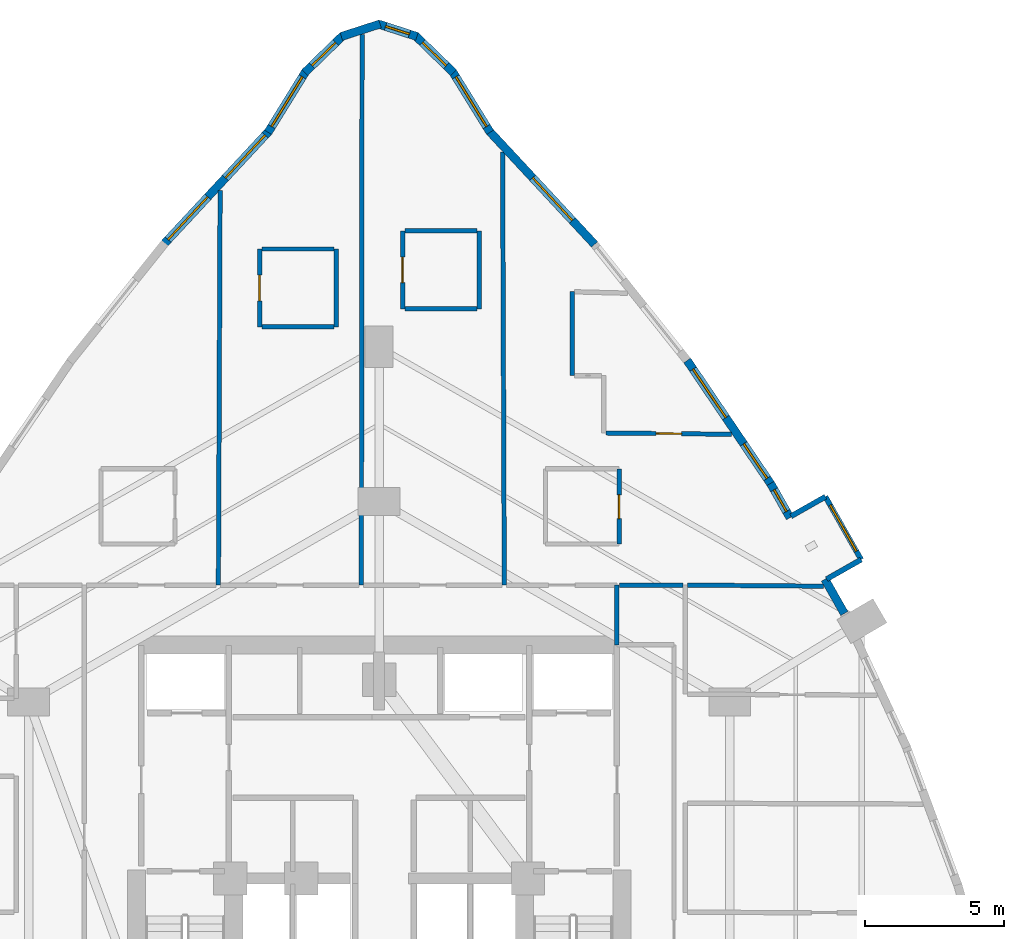
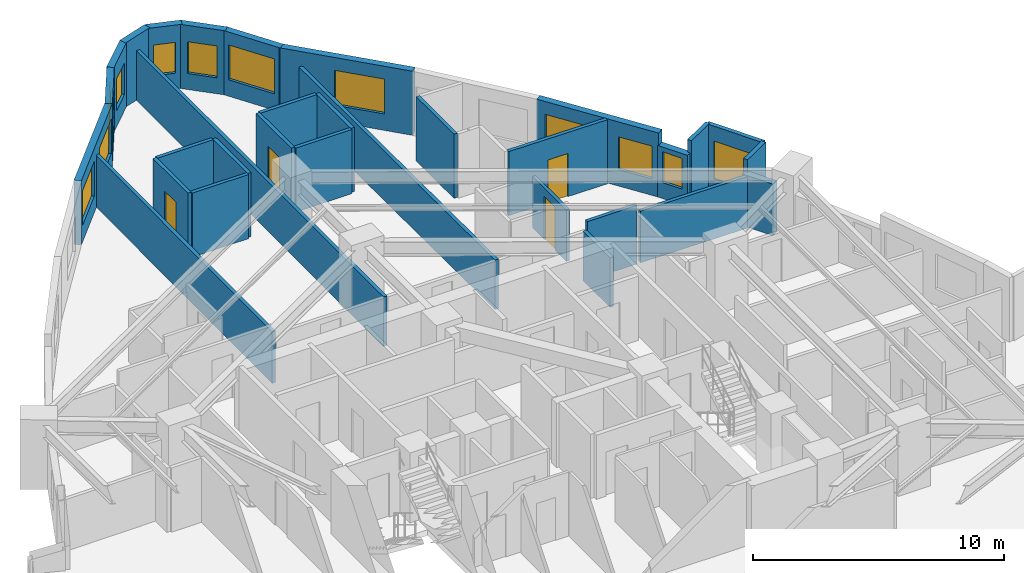
# One storey, part 11 of 13: 31 walls, 12 windows, 4 doors, 16 openings.
"""IFC4 building model written with IfcOpenShell, lengths in metres."""

from ifc_helpers import new_model, si_unit, direction, frame, frame_2d, origin, place, context, subcontext, project, spatial, rectangle, extrude, material, layer, layer_set, type_object, element, fill, save


model = new_model("IFC4")

# Units and contexts
model_context = context("Model", 3, precision=1e-05, world=origin(), true_north=direction((0.0, 1.0)))
body_context = subcontext(model_context, "Body", "Model", "MODEL_VIEW")
ifc_project = project(units=[si_unit("LENGTHUNIT", "METRE"), si_unit("AREAUNIT", "SQUARE_METRE"), si_unit("VOLUMEUNIT", "CUBIC_METRE"), si_unit("PLANEANGLEUNIT", "RADIAN"), si_unit("MASSUNIT", "GRAM", prefix="KILO")], contexts=[model_context])

# Site, building, storey
site_placement = place(None, origin())
site = spatial("IfcSite", under=ifc_project, at=site_placement, CompositionType="ELEMENT")
building_placement = place(site_placement, origin())
building = spatial("IfcBuilding", under=site, at=building_placement, Name="Miruveldt Soraemaru", CompositionType="ELEMENT")
storey_placement = place(building_placement, frame((0.0, 0.0, 46.199951171875)))
storey = spatial("IfcBuildingStorey", under=building, at=storey_placement, Name="L12", CompositionType="ELEMENT", Elevation=46.199951171875)

# Walls
ifc_material_1 = material(Name="White powder-coated aluminium EN AW-6060 T6", Category="aluminium")
ifc_layer_1 = layer(ifc_material_1, 0.18994140625, Name="White powder-coated aluminium EN AW-6060 T6", Category="aluminium")
ifc_layer_set_1 = layer_set([ifc_layer_1], Name="White powder-coated aluminium EN AW-6060 T6")
wall_type_1 = type_object("IfcWallType", Name="WALL-BAY-ALU190", PredefinedType="SOLIDWALL", material=ifc_layer_set_1)
wall_1_placement = place(storey_placement, frame((60.087646484375, 54.8125, 0.0), z_axis=(0.0, 0.0, 1.0), x_axis=(0.869914393652, 0.493202745042, 0.0)))
element("IfcWall", 1, at=wall_1_placement, inside=storey, type_object=wall_type_1, Name="L12 Bay Window Side Cheek 6L", PredefinedType="SOLIDWALL", context=body_context, shape_type="SweptSolid", body=[
    extrude(rectangle(XDim=1.425048828125, YDim=0.18994140625, at=frame_2d((0.71240234375, 0.0))), origin(), (0.0, 0.0, 1.0), 3.125),
])
wall_2_placement = place(storey_placement, frame((60.044677734375, 57.77685546875, 0.0), z_axis=(0.0, 0.0, 1.0), x_axis=(-0.869872713252, -0.493276253979, 0.0)))
element("IfcWall", 2, at=wall_2_placement, inside=storey, type_object=wall_type_1, Name="L12 Bay Window Side Cheek 6R", PredefinedType="SOLIDWALL", context=body_context, shape_type="SweptSolid", body=[
    extrude(rectangle(XDim=1.4248046875, YDim=0.18994140625, at=frame_2d((0.71240234375, 0.0))), origin(), (0.0, 0.0, 1.0), 3.125),
])

# Wall, opening, window
wall_3_placement = place(storey_placement, frame((61.327392578125, 55.515380859375, 0.0), z_axis=(0.0, 0.0, 1.0), x_axis=(-0.493365555553, 0.869822067203, 0.0)))
wall_3 = element("IfcWall", 3, at=wall_3_placement, inside=storey, type_object=wall_type_1, Name="L12 Bay Window Front Frame 6", PredefinedType="SOLIDWALL", context=body_context, shape_type="SweptSolid", body=[
    extrude(rectangle(XDim=2.599853515625, YDim=0.18994140625, at=frame_2d((1.2998046875, 0.0))), origin(), (0.0, 0.0, 1.0), 3.125),
])
opening_1_placement = place(wall_3_placement, frame((0.35009765625, 0.0, 0.550048828125)))
opening_1 = element("IfcOpeningElement", 4, at=opening_1_placement, cuts=wall_3, Name="Opening WN-6", PredefinedType="OPENING", context=body_context, shape_type="SweptSolid", body=[
    extrude(rectangle(XDim=1.89990234375, YDim=1.85009765625, at=frame_2d((0.949951171875, 0.925048828125))), frame((0.0, 0.10498046875, 0.0), z_axis=(0.0, -1.0, 0.0), x_axis=(1.0, 0.0, 0.0)), (0.0, 0.0, 1.0), 0.2099609375),
])
ifc_material_2 = material(Name="Triple low-e insulated glazing", Category="glass")
window_type_1 = type_object("IfcWindowType", Name="WIN-BAYW-1900x1850", PartitioningType="SINGLE_PANEL", PredefinedType="WINDOW", material=ifc_material_2)
window_1_placement = place(opening_1_placement, origin())
window_1 = element("IfcWindow", 5, at=window_1_placement, inside=storey, type_object=window_type_1, Name="L12 Projecting Bay Window 6", OverallHeight=1.85009765625, OverallWidth=1.89990234375, PartitioningType="SINGLE_PANEL", PredefinedType="WINDOW", context=body_context, shape_type="SweptSolid", body=[
    extrude(rectangle(XDim=1.89990234375, YDim=1.85009765625, at=frame_2d((0.949951171875, 0.925048828125))), frame((0.0, 0.030029296875, 0.0), z_axis=(0.0, -1.0, 0.0), x_axis=(1.0, 0.0, 0.0)), (0.0, 0.0, 1.0), 0.06005859375),
])
fill(opening_1, window_1)

ifc_material_3 = material(Name="Precast concrete C45/55 (45 MPa)", Category="concrete")
ifc_layer_2 = layer(ifc_material_3, 0.300048828125, Name="Precast concrete C45/55 (45 MPa)", Category="concrete")
ifc_layer_set_2 = layer_set([ifc_layer_2], Name="Precast concrete C45/55 (45 MPa)")
wall_type_2 = type_object("IfcWallType", Name="WALL-EXT-PC300", PredefinedType="SOLIDWALL", material=ifc_layer_set_2)
wall_4_placement = place(storey_placement, frame((47.99169921875, 70.87548828125, 0.0), z_axis=(0.0, 0.0, 1.0), x_axis=(-0.526075259145, 0.850438017563, 0.0)))
wall_4 = element("IfcWall", 6, at=wall_4_placement, inside=storey, type_object=wall_type_2, Name="L12 Precast Concrete Facade Wall 1", PredefinedType="SOLIDWALL", context=body_context, shape_type="SweptSolid", body=[
    extrude(rectangle(XDim=2.587646484375, YDim=0.300048828125, at=frame_2d((1.2939453125, 0.0))), origin(), (0.0, 0.0, 1.0), 3.125),
])
opening_2_placement = place(wall_4_placement, frame((0.243896484375, 0.0, 0.800048828125)))
opening_2 = element("IfcOpeningElement", 7, at=opening_2_placement, cuts=wall_4, Name="Opening WN-1", PredefinedType="OPENING", context=body_context, shape_type="SweptSolid", body=[
    extrude(rectangle(XDim=2.10009765625, YDim=1.699951171875, at=frame_2d((1.050048828125, 0.85009765625))), frame((0.0, 0.16015625, 0.0), z_axis=(0.0, -1.0, 0.0), x_axis=(1.0, 0.0, 0.0)), (0.0, 0.0, 1.0), 0.320068359375),
])
window_type_2 = type_object("IfcWindowType", Name="WIN-PUNCH-2100x1700", PartitioningType="SINGLE_PANEL", PredefinedType="WINDOW", material=ifc_material_2)
window_2_placement = place(opening_2_placement, origin())
window_2 = element("IfcWindow", 8, at=window_2_placement, inside=storey, type_object=window_type_2, Name="L12 Punched Triple-Glazed Window 01.1", OverallHeight=1.699951171875, OverallWidth=2.10009765625, PartitioningType="SINGLE_PANEL", PredefinedType="WINDOW", context=body_context, shape_type="SweptSolid", body=[
    extrude(rectangle(XDim=2.10009765625, YDim=1.699951171875, at=frame_2d((1.050048828125, 0.85009765625))), frame((0.0, 0.030029296875, 0.0), z_axis=(0.0, -1.0, 0.0), x_axis=(1.0, 0.0, 0.0)), (0.0, 0.0, 1.0), 0.06005859375),
])
fill(opening_2, window_2)

wall_5_placement = place(storey_placement, frame((46.673828125, 73.02197265625, 0.0), z_axis=(0.0, 0.0, 1.0), x_axis=(-0.717798051628, 0.696251360558, 0.0)))
wall_5 = element("IfcWall", 9, at=wall_5_placement, inside=storey, type_object=wall_type_2, Name="L12 Precast Concrete Facade Wall 2", PredefinedType="SOLIDWALL", context=body_context, shape_type="SweptSolid", body=[
    extrude(rectangle(XDim=1.914794921875, YDim=0.300048828125, at=frame_2d((0.95751953125, 0.0))), origin(), (0.0, 0.0, 1.0), 3.125),
])
opening_3_placement = place(wall_5_placement, frame((0.35791015625, 0.0, 0.780029296875)))
opening_3 = element("IfcOpeningElement", 10, at=opening_3_placement, cuts=wall_5, Name="Opening WN-4", PredefinedType="OPENING", context=body_context, shape_type="SweptSolid", body=[
    extrude(rectangle(XDim=1.199951171875, YDim=1.550048828125, at=frame_2d((0.60009765625, 0.77490234375))), frame((0.0, 0.16015625, 0.0), z_axis=(0.0, -1.0, 0.0), x_axis=(1.0, 0.0, 0.0)), (0.0, 0.0, 1.0), 0.320068359375),
])
window_type_3 = type_object("IfcWindowType", Name="WIN-PUNCH-1200x1550", PartitioningType="SINGLE_PANEL", PredefinedType="WINDOW", material=ifc_material_2)
window_3_placement = place(opening_3_placement, origin())
window_3 = element("IfcWindow", 11, at=window_3_placement, inside=storey, type_object=window_type_3, Name="L12 Punched Triple-Glazed Window 02.1", OverallHeight=1.550048828125, OverallWidth=1.199951171875, PartitioningType="SINGLE_PANEL", PredefinedType="WINDOW", context=body_context, shape_type="SweptSolid", body=[
    extrude(rectangle(XDim=1.199951171875, YDim=1.550048828125, at=frame_2d((0.60009765625, 0.77490234375))), frame((0.0, 0.030029296875, 0.0), z_axis=(0.0, -1.0, 0.0), x_axis=(1.0, 0.0, 0.0)), (0.0, 0.0, 1.0), 0.06005859375),
])
fill(opening_3, window_3)

wall_6_placement = place(storey_placement, frame((45.357666015625, 74.320068359375, 0.0), z_axis=(0.0, 0.0, 1.0), x_axis=(-0.951451711332, 0.307798052306, 0.0)))
wall_6 = element("IfcWall", 12, at=wall_6_placement, inside=storey, type_object=wall_type_2, Name="L12 Precast Concrete Facade Wall 3", PredefinedType="SOLIDWALL", context=body_context, shape_type="SweptSolid", body=[
    extrude(rectangle(XDim=1.4619140625, YDim=0.300048828125, at=frame_2d((0.73095703125, 0.0))), origin(), (0.0, 0.0, 1.0), 3.125),
])
opening_4_placement = place(wall_6_placement, frame((0.281005859375, 0.0, 0.780029296875)))
opening_4 = element("IfcOpeningElement", 13, at=opening_4_placement, cuts=wall_6, Name="Opening WN-7", PredefinedType="OPENING", context=body_context, shape_type="SweptSolid", body=[
    extrude(rectangle(XDim=0.89990234375, YDim=1.5, at=frame_2d((0.449951171875, 0.75))), frame((0.0, 0.16015625, 0.0), z_axis=(0.0, -1.0, 0.0), x_axis=(1.0, 0.0, 0.0)), (0.0, 0.0, 1.0), 0.320068359375),
])
window_type_4 = type_object("IfcWindowType", Name="WIN-PUNCH-900x1500", PartitioningType="SINGLE_PANEL", PredefinedType="WINDOW", material=ifc_material_2)
window_4_placement = place(opening_4_placement, origin())
window_4 = element("IfcWindow", 14, at=window_4_placement, inside=storey, type_object=window_type_4, Name="L12 Punched Triple-Glazed Window 03.1", OverallHeight=1.5, OverallWidth=0.89990234375, PartitioningType="SINGLE_PANEL", PredefinedType="WINDOW", context=body_context, shape_type="SweptSolid", body=[
    extrude(rectangle(XDim=0.89990234375, YDim=1.5, at=frame_2d((0.449951171875, 0.75))), frame((0.0, 0.030029296875, 0.0), z_axis=(0.0, -1.0, 0.0), x_axis=(1.0, 0.0, 0.0)), (0.0, 0.0, 1.0), 0.06005859375),
])
fill(opening_4, window_4)

# Wall
wall_7_placement = place(storey_placement, frame((44.033203125, 74.77001953125, 0.0), z_axis=(0.0, 0.0, 1.0), x_axis=(-0.951451711332, -0.307798052306, 0.0)))
element("IfcWall", 15, at=wall_7_placement, inside=storey, type_object=wall_type_2, Name="L12 Precast Concrete Facade Wall 4", PredefinedType="SOLIDWALL", context=body_context, shape_type="SweptSolid", body=[
    extrude(rectangle(XDim=1.4619140625, YDim=0.300048828125, at=frame_2d((0.73095703125, 0.0))), origin(), (0.0, 0.0, 1.0), 3.125),
])

# Wall, opening, window
wall_8_placement = place(storey_placement, frame((42.70068359375, 74.355224609375, 0.0), z_axis=(0.0, 0.0, 1.0), x_axis=(-0.717798051628, -0.696251360558, 0.0)))
wall_8 = element("IfcWall", 16, at=wall_8_placement, inside=storey, type_object=wall_type_2, Name="L12 Precast Concrete Facade Wall 5", PredefinedType="SOLIDWALL", context=body_context, shape_type="SweptSolid", body=[
    extrude(rectangle(XDim=1.914794921875, YDim=0.300048828125, at=frame_2d((0.95751953125, 0.0))), origin(), (0.0, 0.0, 1.0), 3.125),
])
opening_5_placement = place(wall_8_placement, frame((0.35791015625, 0.0, 0.780029296875)))
opening_5 = element("IfcOpeningElement", 17, at=opening_5_placement, cuts=wall_8, Name="Opening WN-4", PredefinedType="OPENING", context=body_context, shape_type="SweptSolid", body=[
    extrude(rectangle(XDim=1.199951171875, YDim=1.550048828125, at=frame_2d((0.60009765625, 0.77490234375))), frame((0.0, 0.16015625, 0.0), z_axis=(0.0, -1.0, 0.0), x_axis=(1.0, 0.0, 0.0)), (0.0, 0.0, 1.0), 0.320068359375),
])
window_5_placement = place(opening_5_placement, origin())
window_5 = element("IfcWindow", 18, at=window_5_placement, inside=storey, type_object=window_type_3, Name="L12 Punched Triple-Glazed Window 05.1", OverallHeight=1.550048828125, OverallWidth=1.199951171875, PartitioningType="SINGLE_PANEL", PredefinedType="WINDOW", context=body_context, shape_type="SweptSolid", body=[
    extrude(rectangle(XDim=1.199951171875, YDim=1.550048828125, at=frame_2d((0.60009765625, 0.77490234375))), frame((0.0, 0.030029296875, 0.0), z_axis=(0.0, -1.0, 0.0), x_axis=(1.0, 0.0, 0.0)), (0.0, 0.0, 1.0), 0.06005859375),
])
fill(opening_5, window_5)

wall_9_placement = place(storey_placement, frame((41.36962890625, 73.076171875, 0.0), z_axis=(0.0, 0.0, 1.0), x_axis=(-0.526075259145, -0.850438017563, 0.0)))
wall_9 = element("IfcWall", 19, at=wall_9_placement, inside=storey, type_object=wall_type_2, Name="L12 Precast Concrete Facade Wall 6", PredefinedType="SOLIDWALL", context=body_context, shape_type="SweptSolid", body=[
    extrude(rectangle(XDim=2.587646484375, YDim=0.300048828125, at=frame_2d((1.2939453125, 0.0))), origin(), (0.0, 0.0, 1.0), 3.125),
])
opening_6_placement = place(wall_9_placement, frame((0.243896484375, 0.0, 0.800048828125)))
opening_6 = element("IfcOpeningElement", 20, at=opening_6_placement, cuts=wall_9, Name="Opening WN-1", PredefinedType="OPENING", context=body_context, shape_type="SweptSolid", body=[
    extrude(rectangle(XDim=2.10009765625, YDim=1.699951171875, at=frame_2d((1.050048828125, 0.85009765625))), frame((0.0, 0.16015625, 0.0), z_axis=(0.0, -1.0, 0.0), x_axis=(1.0, 0.0, 0.0)), (0.0, 0.0, 1.0), 0.320068359375),
])
window_6_placement = place(opening_6_placement, origin())
window_6 = element("IfcWindow", 21, at=window_6_placement, inside=storey, type_object=window_type_2, Name="L12 Punched Triple-Glazed Window 06.1", OverallHeight=1.699951171875, OverallWidth=2.10009765625, PartitioningType="SINGLE_PANEL", PredefinedType="WINDOW", context=body_context, shape_type="SweptSolid", body=[
    extrude(rectangle(XDim=2.10009765625, YDim=1.699951171875, at=frame_2d((1.050048828125, 0.85009765625))), frame((0.0, 0.030029296875, 0.0), z_axis=(0.0, -1.0, 0.0), x_axis=(1.0, 0.0, 0.0)), (0.0, 0.0, 1.0), 0.06005859375),
])
fill(opening_6, window_6)

# Wall, openings, windows
wall_10_placement = place(storey_placement, frame((40.050537109375, 70.930908203125, 0.0), z_axis=(0.0, 0.0, 1.0), x_axis=(-0.680870825534, -0.73240352193, 0.0)))
wall_10 = element("IfcWall", 22, at=wall_10_placement, inside=storey, type_object=wall_type_2, Name="L12 Precast Concrete Facade Wall 7", PredefinedType="SOLIDWALL", context=body_context, shape_type="SweptSolid", body=[
    extrude(rectangle(XDim=5.576171875, YDim=0.300048828125, at=frame_2d((2.7880859375, 0.0))), origin(), (0.0, 0.0, 1.0), 3.125),
])
opening_7_placement = place(wall_10_placement, frame((0.215087890625, 0.0, 0.800048828125)))
opening_7 = element("IfcOpeningElement", 23, at=opening_7_placement, cuts=wall_10, Name="Opening WN-1", PredefinedType="OPENING", context=body_context, shape_type="SweptSolid", body=[
    extrude(rectangle(XDim=2.10009765625, YDim=1.699951171875, at=frame_2d((1.050048828125, 0.85009765625))), frame((0.0, 0.16015625, 0.0), z_axis=(0.0, -1.0, 0.0), x_axis=(1.0, 0.0, 0.0)), (0.0, 0.0, 1.0), 0.320068359375),
])
opening_8_placement = place(wall_10_placement, frame((3.242919921875, 0.0, 0.800048828125)))
opening_8 = element("IfcOpeningElement", 24, at=opening_8_placement, cuts=wall_10, Name="Opening WN-1", PredefinedType="OPENING", context=body_context, shape_type="SweptSolid", body=[
    extrude(rectangle(XDim=2.10009765625, YDim=1.699951171875, at=frame_2d((1.050048828125, 0.85009765625))), frame((0.0, 0.16015625, 0.0), z_axis=(0.0, -1.0, 0.0), x_axis=(1.0, 0.0, 0.0)), (0.0, 0.0, 1.0), 0.320068359375),
])
window_7_placement = place(opening_7_placement, origin())
window_7 = element("IfcWindow", 25, at=window_7_placement, inside=storey, type_object=window_type_2, Name="L12 Punched Triple-Glazed Window 07.1", OverallHeight=1.699951171875, OverallWidth=2.10009765625, PartitioningType="SINGLE_PANEL", PredefinedType="WINDOW", context=body_context, shape_type="SweptSolid", body=[
    extrude(rectangle(XDim=2.10009765625, YDim=1.699951171875, at=frame_2d((1.050048828125, 0.85009765625))), frame((0.0, 0.030029296875, 0.0), z_axis=(0.0, -1.0, 0.0), x_axis=(1.0, 0.0, 0.0)), (0.0, 0.0, 1.0), 0.06005859375),
])
fill(opening_7, window_7)
window_8_placement = place(opening_8_placement, origin())
window_8 = element("IfcWindow", 26, at=window_8_placement, inside=storey, type_object=window_type_2, Name="L12 Punched Triple-Glazed Window 07.2", OverallHeight=1.699951171875, OverallWidth=2.10009765625, PartitioningType="SINGLE_PANEL", PredefinedType="WINDOW", context=body_context, shape_type="SweptSolid", body=[
    extrude(rectangle(XDim=2.10009765625, YDim=1.699951171875, at=frame_2d((1.050048828125, 0.85009765625))), frame((0.0, 0.030029296875, 0.0), z_axis=(0.0, -1.0, 0.0), x_axis=(1.0, 0.0, 0.0)), (0.0, 0.0, 1.0), 0.06005859375),
])
fill(opening_8, window_8)

# Wall
wall_11_placement = place(storey_placement, frame((60.724853515625, 53.57763671875, 0.0), z_axis=(0.0, 0.0, 1.0), x_axis=(-0.493355657104, 0.869827681558, 0.0)))
element("IfcWall", 27, at=wall_11_placement, inside=storey, type_object=wall_type_2, Name="L12 Precast Pier Wall 39A", PredefinedType="SOLIDWALL", context=body_context, shape_type="SweptSolid", body=[
    extrude(rectangle(XDim=1.418212890625, YDim=0.300048828125, at=frame_2d((0.708984375, 0.0))), origin(), (0.0, 0.0, 1.0), 2.512939453125),
])

# Wall, opening, window
wall_12_placement = place(storey_placement, frame((58.772216796875, 57.020751953125, 0.0), z_axis=(0.0, 0.0, 1.0), x_axis=(-0.493485882308, 0.869753806524, 0.0)))
wall_12 = element("IfcWall", 28, at=wall_12_placement, inside=storey, type_object=wall_type_2, Name="L12 Precast Pier Wall 39B", PredefinedType="SOLIDWALL", context=body_context, shape_type="SweptSolid", body=[
    extrude(rectangle(XDim=1.41845703125, YDim=0.300048828125, at=frame_2d((0.709228515625, 0.0))), origin(), (0.0, 0.0, 1.0), 2.512939453125),
])
opening_9_placement = place(wall_12_placement, frame((0.259033203125, 0.0, 0.780029296875)))
opening_9 = element("IfcOpeningElement", 29, at=opening_9_placement, cuts=wall_12, Name="Opening WN-7", PredefinedType="OPENING", context=body_context, shape_type="SweptSolid", body=[
    extrude(rectangle(XDim=0.89990234375, YDim=1.5, at=frame_2d((0.449951171875, 0.75))), frame((0.0, 0.16015625, 0.0), z_axis=(0.0, -1.0, 0.0), x_axis=(1.0, 0.0, 0.0)), (0.0, 0.0, 1.0), 0.320068359375),
])
window_9_placement = place(opening_9_placement, origin())
window_9 = element("IfcWindow", 30, at=window_9_placement, inside=storey, type_object=window_type_4, Name="L12 Punched Triple-Glazed Window 39B.1", OverallHeight=1.5, OverallWidth=0.89990234375, PartitioningType="SINGLE_PANEL", PredefinedType="WINDOW", context=body_context, shape_type="SweptSolid", body=[
    extrude(rectangle(XDim=0.89990234375, YDim=1.5, at=frame_2d((0.449951171875, 0.75))), frame((0.0, 0.030029296875, 0.0), z_axis=(0.0, -1.0, 0.0), x_axis=(1.0, 0.0, 0.0)), (0.0, 0.0, 1.0), 0.06005859375),
])
fill(opening_9, window_9)

# Wall, openings, windows
wall_13_placement = place(storey_placement, frame((58.109130859375, 58.195068359375, 0.0), z_axis=(0.0, 0.0, 1.0), x_axis=(-0.560829186842, 0.827931532909, 0.0)))
wall_13 = element("IfcWall", 31, at=wall_13_placement, inside=storey, type_object=wall_type_2, Name="L12 Precast Concrete Facade Wall 40", PredefinedType="SOLIDWALL", context=body_context, shape_type="SweptSolid", body=[
    extrude(rectangle(XDim=5.41015625, YDim=0.300048828125, at=frame_2d((2.705078125, 0.0))), origin(), (0.0, 0.0, 1.0), 3.125),
])
opening_10_placement = place(wall_13_placement, frame((0.2880859375, 0.0, 0.800048828125)))
opening_10 = element("IfcOpeningElement", 32, at=opening_10_placement, cuts=wall_13, Name="Opening WN-3", PredefinedType="OPENING", context=body_context, shape_type="SweptSolid", body=[
    extrude(rectangle(XDim=1.5, YDim=1.60009765625, at=frame_2d((0.75, 0.800048828125))), frame((0.0, 0.16015625, 0.0), z_axis=(0.0, -1.0, 0.0), x_axis=(1.0, 0.0, 0.0)), (0.0, 0.0, 1.0), 0.320068359375),
])
opening_11_placement = place(wall_13_placement, frame((2.93310546875, 0.0, 0.800048828125)))
opening_11 = element("IfcOpeningElement", 33, at=opening_11_placement, cuts=wall_13, Name="Opening WN-1", PredefinedType="OPENING", context=body_context, shape_type="SweptSolid", body=[
    extrude(rectangle(XDim=2.10009765625, YDim=1.699951171875, at=frame_2d((1.050048828125, 0.85009765625))), frame((0.0, 0.16015625, 0.0), z_axis=(0.0, -1.0, 0.0), x_axis=(1.0, 0.0, 0.0)), (0.0, 0.0, 1.0), 0.320068359375),
])
window_type_5 = type_object("IfcWindowType", Name="WIN-PUNCH-1500x1600", PartitioningType="SINGLE_PANEL", PredefinedType="WINDOW", material=ifc_material_2)
window_10_placement = place(opening_10_placement, origin())
window_10 = element("IfcWindow", 34, at=window_10_placement, inside=storey, type_object=window_type_5, Name="L12 Punched Triple-Glazed Window 40.1", OverallHeight=1.60009765625, OverallWidth=1.5, PartitioningType="SINGLE_PANEL", PredefinedType="WINDOW", context=body_context, shape_type="SweptSolid", body=[
    extrude(rectangle(XDim=1.5, YDim=1.60009765625, at=frame_2d((0.75, 0.800048828125))), frame((0.0, 0.030029296875, 0.0), z_axis=(0.0, -1.0, 0.0), x_axis=(1.0, 0.0, 0.0)), (0.0, 0.0, 1.0), 0.06005859375),
])
fill(opening_10, window_10)
window_11_placement = place(opening_11_placement, origin())
window_11 = element("IfcWindow", 35, at=window_11_placement, inside=storey, type_object=window_type_2, Name="L12 Punched Triple-Glazed Window 40.2", OverallHeight=1.699951171875, OverallWidth=2.10009765625, PartitioningType="SINGLE_PANEL", PredefinedType="WINDOW", context=body_context, shape_type="SweptSolid", body=[
    extrude(rectangle(XDim=2.10009765625, YDim=1.699951171875, at=frame_2d((1.050048828125, 0.85009765625))), frame((0.0, 0.030029296875, 0.0), z_axis=(0.0, -1.0, 0.0), x_axis=(1.0, 0.0, 0.0)), (0.0, 0.0, 1.0), 0.06005859375),
])
fill(opening_11, window_11)

# Wall, opening, window
wall_14_placement = place(storey_placement, frame((51.74609375, 66.846923828125, 0.0), z_axis=(0.0, 0.0, 1.0), x_axis=(-0.680870825534, 0.73240352193, 0.0)))
wall_14 = element("IfcWall", 36, at=wall_14_placement, inside=storey, type_object=wall_type_2, Name="L12 Precast Concrete Facade Wall 42", PredefinedType="SOLIDWALL", context=body_context, shape_type="SweptSolid", body=[
    extrude(rectangle(XDim=5.576171875, YDim=0.300048828125, at=frame_2d((2.7880859375, 0.0))), origin(), (0.0, 0.0, 1.0), 3.125),
])
opening_12_placement = place(wall_14_placement, frame((1.169921875, 0.0, 0.800048828125)))
opening_12 = element("IfcOpeningElement", 37, at=opening_12_placement, cuts=wall_14, Name="Opening WN-1", PredefinedType="OPENING", context=body_context, shape_type="SweptSolid", body=[
    extrude(rectangle(XDim=2.10009765625, YDim=1.699951171875, at=frame_2d((1.050048828125, 0.85009765625))), frame((0.0, 0.16015625, 0.0), z_axis=(0.0, -1.0, 0.0), x_axis=(1.0, 0.0, 0.0)), (0.0, 0.0, 1.0), 0.320068359375),
])
window_12_placement = place(opening_12_placement, origin())
window_12 = element("IfcWindow", 38, at=window_12_placement, inside=storey, type_object=window_type_2, Name="L12 Punched Triple-Glazed Window 42.1", OverallHeight=1.699951171875, OverallWidth=2.10009765625, PartitioningType="SINGLE_PANEL", PredefinedType="WINDOW", context=body_context, shape_type="SweptSolid", body=[
    extrude(rectangle(XDim=2.10009765625, YDim=1.699951171875, at=frame_2d((1.050048828125, 0.85009765625))), frame((0.0, 0.030029296875, 0.0), z_axis=(0.0, -1.0, 0.0), x_axis=(1.0, 0.0, 0.0)), (0.0, 0.0, 1.0), 0.06005859375),
])
fill(opening_12, window_12)

# Wall, opening, door
ifc_material_4 = material(Name="Gypsum plasterboard lining", Category="gypsum")
ifc_layer_3 = layer(ifc_material_4, 0.14990234375, Name="Gypsum plasterboard lining", Category="gypsum")
ifc_layer_set_3 = layer_set([ifc_layer_3], Name="Gypsum plasterboard lining")
wall_type_3 = type_object("IfcWallType", Name="WALL-INT-PLUMB", PredefinedType="PLUMBINGWALL", material=ifc_layer_set_3)
wall_15_placement = place(storey_placement, frame((52.6298828125, 56.080078125, 0.0), z_axis=(0.0, 0.0, 1.0), x_axis=(0.0, 1.0, 0.0)))
wall_15 = element("IfcWall", 39, at=wall_15_placement, inside=storey, type_object=wall_type_3, Name="L12 Partition Wall 30", PredefinedType="PLUMBINGWALL", context=body_context, shape_type="SweptSolid", body=[
    extrude(rectangle(XDim=2.699951171875, YDim=0.14990234375, at=frame_2d((1.35009765625, 0.0))), origin(), (0.0, 0.0, 1.0), 2.512939453125),
])
opening_13_placement = place(wall_15_placement, frame((0.909912109375, 0.0, 0.0)))
opening_13 = element("IfcOpeningElement", 40, at=opening_13_placement, cuts=wall_15, Name="Opening FD3", PredefinedType="OPENING", context=body_context, shape_type="SweptSolid", body=[
    extrude(rectangle(XDim=0.85009765625, YDim=2.10009765625, at=frame_2d((0.425048828125, 1.050048828125))), frame((0.0, 0.0849609375, 0.0), z_axis=(0.0, -1.0, 0.0), x_axis=(1.0, 0.0, 0.0)), (0.0, 0.0, 1.0), 0.169921875),
])
ifc_material_5 = material(Name="Anodised aluminium EN AW-6063 T6", Category="aluminium")
door_type_1 = type_object("IfcDoorType", Name="DOOR-FD3-850", OperationType="NOTDEFINED", PredefinedType="DOOR", material=ifc_material_5)
door_1_placement = place(opening_13_placement, origin())
door_1 = element("IfcDoor", 41, at=door_1_placement, inside=storey, type_object=door_type_1, Name="L12 Unit 1204 BTH Door", OperationType="SINGLE_SWING_LEFT", OverallHeight=2.10009765625, OverallWidth=0.85009765625, PredefinedType="DOOR", context=body_context, shape_type="SweptSolid", body=[
    extrude(rectangle(XDim=0.85009765625, YDim=2.10009765625, at=frame_2d((0.425048828125, 1.050048828125))), frame((0.0, 0.02490234375, 0.0), z_axis=(0.0, -1.0, 0.0), x_axis=(1.0, 0.0, 0.0)), (0.0, 0.0, 1.0), 0.050048828125),
])
fill(opening_13, door_1)

ifc_material_6 = material(Name="Concrete C40/50 (40 MPa)", Category="concrete")
ifc_layer_4 = layer(ifc_material_6, 0.159912109375, Name="Concrete C40/50 (40 MPa)", Category="concrete")
ifc_layer_set_4 = layer_set([ifc_layer_4], Name="Concrete C40/50 (40 MPa)")
wall_type_4 = type_object("IfcWallType", Name="WALL-INT-RC160", PredefinedType="SOLIDWALL", material=ifc_layer_set_4)
wall_16_placement = place(storey_placement, frame((56.674072265625, 60.02001953125, 0.0), z_axis=(0.0, 0.0, 1.0), x_axis=(-0.999948313371, 0.010167132662, 0.0)))
wall_16 = element("IfcWall", 42, at=wall_16_placement, inside=storey, type_object=wall_type_4, Name="L12 Partition Wall 34", PredefinedType="SOLIDWALL", context=body_context, shape_type="SweptSolid", body=[
    extrude(rectangle(XDim=4.514404296875, YDim=0.159912109375, at=frame_2d((2.25732421875, 0.0))), origin(), (0.0, 0.0, 1.0), 3.125),
])
opening_14_placement = place(wall_16_placement, frame((1.797119140625, 0.0, 0.0)))
opening_14 = element("IfcOpeningElement", 43, at=opening_14_placement, cuts=wall_16, Name="Opening D3A", PredefinedType="OPENING", context=body_context, shape_type="SweptSolid", body=[
    extrude(rectangle(XDim=0.919921875, YDim=2.10009765625, at=frame_2d((0.4599609375, 1.050048828125))), frame((0.0, 0.08984375, 0.0), z_axis=(0.0, -1.0, 0.0), x_axis=(1.0, 0.0, 0.0)), (0.0, 0.0, 1.0), 0.179931640625),
])
door_type_2 = type_object("IfcDoorType", Name="DOOR-INT-920", OperationType="NOTDEFINED", PredefinedType="DOOR", material=ifc_material_5)
door_2_placement = place(opening_14_placement, origin())
door_2 = element("IfcDoor", 44, at=door_2_placement, inside=storey, type_object=door_type_2, Name="L12 Unit 1204 BD1 Door", OperationType="SINGLE_SWING_RIGHT", OverallHeight=2.10009765625, OverallWidth=0.919921875, PredefinedType="DOOR", context=body_context, shape_type="SweptSolid", body=[
    extrude(rectangle(XDim=0.919921875, YDim=2.10009765625, at=frame_2d((0.4599609375, 1.050048828125))), frame((0.0, 0.02490234375, 0.0), z_axis=(0.0, -1.0, 0.0), x_axis=(1.0, 0.0, 0.0)), (0.0, 0.0, 1.0), 0.050048828125),
])
fill(opening_14, door_2)

wall_17_placement = place(storey_placement, frame((39.702880859375, 66.679931640625, 0.0), z_axis=(0.0, 0.0, 1.0), x_axis=(0.0, -1.0, 0.0)))
wall_17 = element("IfcWall", 45, at=wall_17_placement, inside=storey, type_object=wall_type_4, Name="L12 Partition Wall 22", PredefinedType="SOLIDWALL", context=body_context, shape_type="SweptSolid", body=[
    extrude(rectangle(XDim=2.800048828125, YDim=0.159912109375, at=frame_2d((1.39990234375, 0.0))), origin(), (0.0, 0.0, 1.0), 3.125),
])
opening_15_placement = place(wall_17_placement, frame((0.93994140625, 0.0, 0.0)))
opening_15 = element("IfcOpeningElement", 46, at=opening_15_placement, cuts=wall_17, Name="Opening D3A", PredefinedType="OPENING", context=body_context, shape_type="SweptSolid", body=[
    extrude(rectangle(XDim=0.919921875, YDim=2.10009765625, at=frame_2d((0.4599609375, 1.050048828125))), frame((0.0, 0.08984375, 0.0), z_axis=(0.0, -1.0, 0.0), x_axis=(1.0, 0.0, 0.0)), (0.0, 0.0, 1.0), 0.179931640625),
])
door_3_placement = place(opening_15_placement, origin())
door_3 = element("IfcDoor", 47, at=door_3_placement, inside=storey, type_object=door_type_2, Name="L12 Unit CL02 KIT Door", OperationType="SINGLE_SWING_LEFT", OverallHeight=2.10009765625, OverallWidth=0.919921875, PredefinedType="DOOR", context=body_context, shape_type="SweptSolid", body=[
    extrude(rectangle(XDim=0.919921875, YDim=2.10009765625, at=frame_2d((0.4599609375, 1.050048828125))), frame((0.0, 0.02490234375, 0.0), z_axis=(0.0, -1.0, 0.0), x_axis=(1.0, 0.0, 0.0)), (0.0, 0.0, 1.0), 0.050048828125),
])
fill(opening_15, door_3)

wall_18_placement = place(storey_placement, frame((44.842041015625, 67.330078125, 0.0), z_axis=(0.0, 0.0, 1.0), x_axis=(0.0, -1.0, 0.0)))
wall_18 = element("IfcWall", 48, at=wall_18_placement, inside=storey, type_object=wall_type_4, Name="L12 Partition Wall 27", PredefinedType="SOLIDWALL", context=body_context, shape_type="SweptSolid", body=[
    extrude(rectangle(XDim=2.800048828125, YDim=0.159912109375, at=frame_2d((1.39990234375, 0.0))), origin(), (0.0, 0.0, 1.0), 3.125),
])
opening_16_placement = place(wall_18_placement, frame((0.93994140625, 0.0, 0.0)))
opening_16 = element("IfcOpeningElement", 49, at=opening_16_placement, cuts=wall_18, Name="Opening D3A", PredefinedType="OPENING", context=body_context, shape_type="SweptSolid", body=[
    extrude(rectangle(XDim=0.919921875, YDim=2.10009765625, at=frame_2d((0.4599609375, 1.050048828125))), frame((0.0, 0.08984375, 0.0), z_axis=(0.0, -1.0, 0.0), x_axis=(1.0, 0.0, 0.0)), (0.0, 0.0, 1.0), 0.179931640625),
])
door_4_placement = place(opening_16_placement, origin())
door_4 = element("IfcDoor", 50, at=door_4_placement, inside=storey, type_object=door_type_2, Name="L12 Unit CL03 KIT Door", OperationType="SINGLE_SWING_LEFT", OverallHeight=2.10009765625, OverallWidth=0.919921875, PredefinedType="DOOR", context=body_context, shape_type="SweptSolid", body=[
    extrude(rectangle(XDim=0.919921875, YDim=2.10009765625, at=frame_2d((0.4599609375, 1.050048828125))), frame((0.0, 0.02490234375, 0.0), z_axis=(0.0, -1.0, 0.0), x_axis=(1.0, 0.0, 0.0)), (0.0, 0.0, 1.0), 0.050048828125),
])
fill(opening_16, door_4)

# Walls
wall_19_placement = place(storey_placement, frame((43.362060546875, 54.60009765625, 0.0), z_axis=(0.0, 0.0, 1.0), x_axis=(0.001307817416, 0.999999144806, 0.0)))
element("IfcWall", 51, at=wall_19_placement, inside=storey, type_object=wall_type_4, Name="L12 Partition Wall 24", PredefinedType="SOLIDWALL", context=body_context, shape_type="SweptSolid", body=[
    extrude(rectangle(XDim=19.787841796875, YDim=0.159912109375, at=frame_2d((9.89404296875, 0.0))), origin(), (0.0, 0.0, 1.0), 2.4130859375),
])
wall_20_placement = place(storey_placement, frame((48.5, 54.60302734375, 0.0), z_axis=(0.0, 0.0, 1.0), x_axis=(-0.003922769127, 0.999992305912, 0.0)))
element("IfcWall", 52, at=wall_20_placement, inside=storey, type_object=wall_type_4, Name="L12 Partition Wall 29", PredefinedType="SOLIDWALL", context=body_context, shape_type="SweptSolid", body=[
    extrude(rectangle(XDim=15.55908203125, YDim=0.159912109375, at=frame_2d((7.779541015625, 0.0))), origin(), (0.0, 0.0, 1.0), 2.4130859375),
])
wall_21_placement = place(storey_placement, frame((38.222900390625, 54.60009765625, 0.0), z_axis=(0.0, 0.0, 1.0), x_axis=(0.004370076298, 0.999990451171, 0.0)))
element("IfcWall", 53, at=wall_21_placement, inside=storey, type_object=wall_type_4, Name="L12 Partition Wall 17", PredefinedType="SOLIDWALL", context=body_context, shape_type="SweptSolid", body=[
    extrude(rectangle(XDim=14.190185546875, YDim=0.159912109375, at=frame_2d((7.09521484375, 0.0))), origin(), (0.0, 0.0, 1.0), 2.512939453125),
])
wall_22_placement = place(storey_placement, frame((55.080078125, 54.59912109375, 0.0), z_axis=(0.0, 0.0, 1.0), x_axis=(0.999966589153, -0.008174385436, 0.0)))
element("IfcWall", 54, at=wall_22_placement, inside=storey, type_object=wall_type_4, Name="L12 Partition Wall 40", PredefinedType="SOLIDWALL", context=body_context, shape_type="SweptSolid", body=[
    extrude(rectangle(XDim=4.898193359375, YDim=0.159912109375, at=frame_2d((2.44921875, 0.0))), origin(), (0.0, 0.0, 1.0), 2.512939453125),
])
wall_23_placement = place(storey_placement, frame((50.949951171875, 62.1298828125, 0.0), z_axis=(0.0, 0.0, 1.0), x_axis=(0.0, 1.0, 0.0)))
element("IfcWall", 55, at=wall_23_placement, inside=storey, type_object=wall_type_4, Name="L12 Partition Wall 37", PredefinedType="SOLIDWALL", context=body_context, shape_type="SweptSolid", body=[
    extrude(rectangle(XDim=3.01416015625, YDim=0.159912109375, at=frame_2d((1.507080078125, 0.0))), origin(), (0.0, 0.0, 1.0), 3.125),
])
for number, where, z_axis, x_axis, name in (
    (56, (42.452880859375, 63.8798828125, 0.0), (0.0, 0.0, 1.0), (0.0, 1.0, 0.0), "L12 Partition Wall 20"),
    (57, (47.592041015625, 64.530029296875, 0.0), (0.0, 0.0, 1.0), (0.0, 1.0, 0.0), "L12 Partition Wall 25"),
):
    element("IfcWall", number, at=place(storey_placement, frame(where, z_axis=z_axis, x_axis=x_axis)), inside=storey, type_object=wall_type_4, Name=name, PredefinedType="SOLIDWALL", context=body_context, shape_type="SweptSolid", body=[
        extrude(rectangle(XDim=2.800048828125, YDim=0.159912109375, at=frame_2d((1.39990234375, 0.0))), origin(), (0.0, 0.0, 1.0), 3.125),
    ])
for number, where, z_axis, x_axis, name in (
    (58, (47.511962890625, 67.330078125, 0.0), (0.0, 0.0, 1.0), (-1.0, 0.0, 0.0), "L12 Partition Wall 26"),
    (59, (44.922119140625, 64.530029296875, 0.0), (0.0, 0.0, 1.0), (1.0, 0.0, 0.0), "L12 Partition Wall 28"),
):
    element("IfcWall", number, at=place(storey_placement, frame(where, z_axis=z_axis, x_axis=x_axis)), inside=storey, type_object=wall_type_4, Name=name, PredefinedType="SOLIDWALL", context=body_context, shape_type="SweptSolid", body=[
        extrude(rectangle(XDim=2.58984375, YDim=0.159912109375, at=frame_2d((1.294921875, 0.0))), origin(), (0.0, 0.0, 1.0), 3.125),
    ])
for number, where, z_axis, x_axis, name in (
    (60, (42.373046875, 66.679931640625, 0.0), (0.0, 0.0, 1.0), (-1.0, 0.0, 0.0), "L12 Partition Wall 21"),
    (61, (39.782958984375, 63.8798828125, 0.0), (0.0, 0.0, 1.0), (1.0, 0.0, 0.0), "L12 Partition Wall 23"),
):
    element("IfcWall", number, at=place(storey_placement, frame(where, z_axis=z_axis, x_axis=x_axis)), inside=storey, type_object=wall_type_4, Name=name, PredefinedType="SOLIDWALL", context=body_context, shape_type="SweptSolid", body=[
        extrude(rectangle(XDim=2.590087890625, YDim=0.159912109375, at=frame_2d((1.294921875, 0.0))), origin(), (0.0, 0.0, 1.0), 3.125),
    ])
wall_24_placement = place(storey_placement, frame((52.635009765625, 54.60009765625, 0.0), z_axis=(0.0, 0.0, 1.0), x_axis=(1.0, 0.0, 0.0)))
element("IfcWall", 62, at=wall_24_placement, inside=storey, type_object=wall_type_4, Name="L12 Partition Wall 39", PredefinedType="SOLIDWALL", context=body_context, shape_type="SweptSolid", body=[
    extrude(rectangle(XDim=2.281982421875, YDim=0.159912109375, at=frame_2d((1.14111328125, 0.0))), origin(), (0.0, 0.0, 1.0), 2.863037109375),
])
wall_25_placement = place(storey_placement, frame((52.550048828125, 52.449951171875, 0.0), z_axis=(0.0, 0.0, 1.0), x_axis=(0.0, 1.0, 0.0)))
element("IfcWall", 63, at=wall_25_placement, inside=storey, type_object=wall_type_4, Name="L12 Partition Wall 6", PredefinedType="SOLIDWALL", context=body_context, shape_type="SweptSolid", body=[
    extrude(rectangle(XDim=2.14501953125, YDim=0.159912109375, at=frame_2d((1.072509765625, 0.0))), origin(), (0.0, 0.0, 1.0), 2.4130859375),
])

save(model, "model.ifc")
